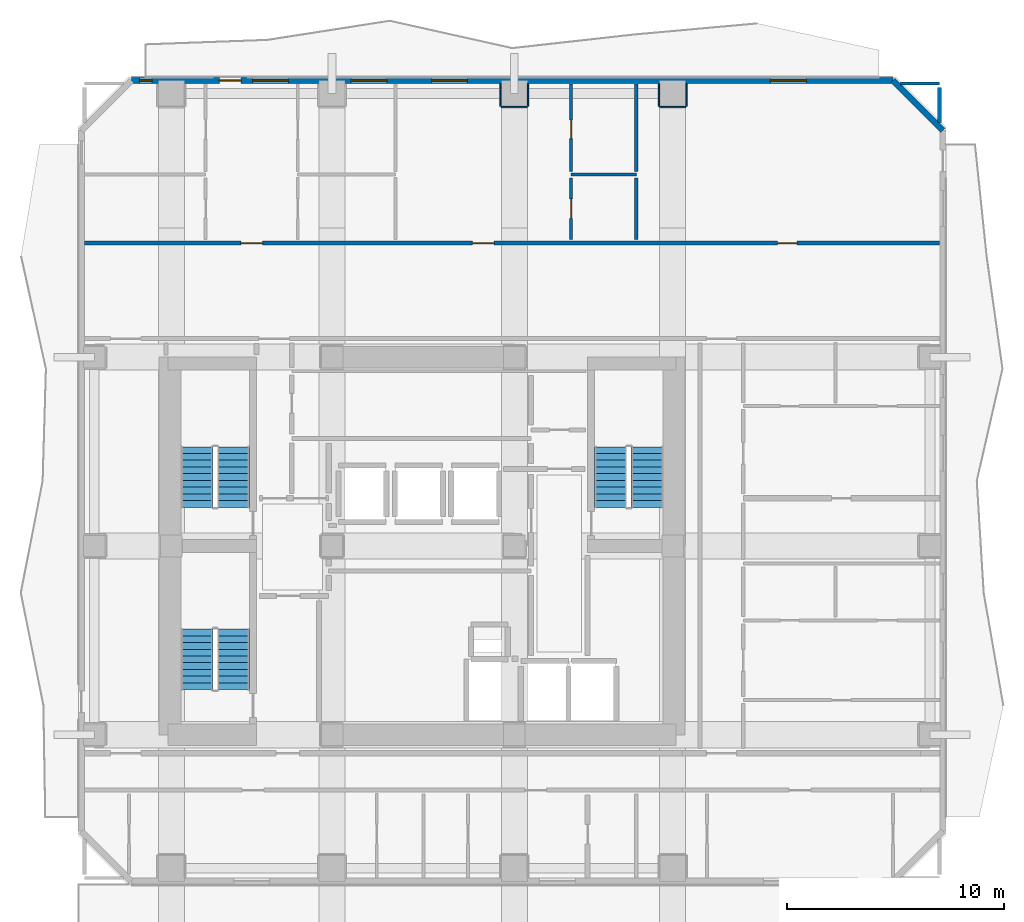
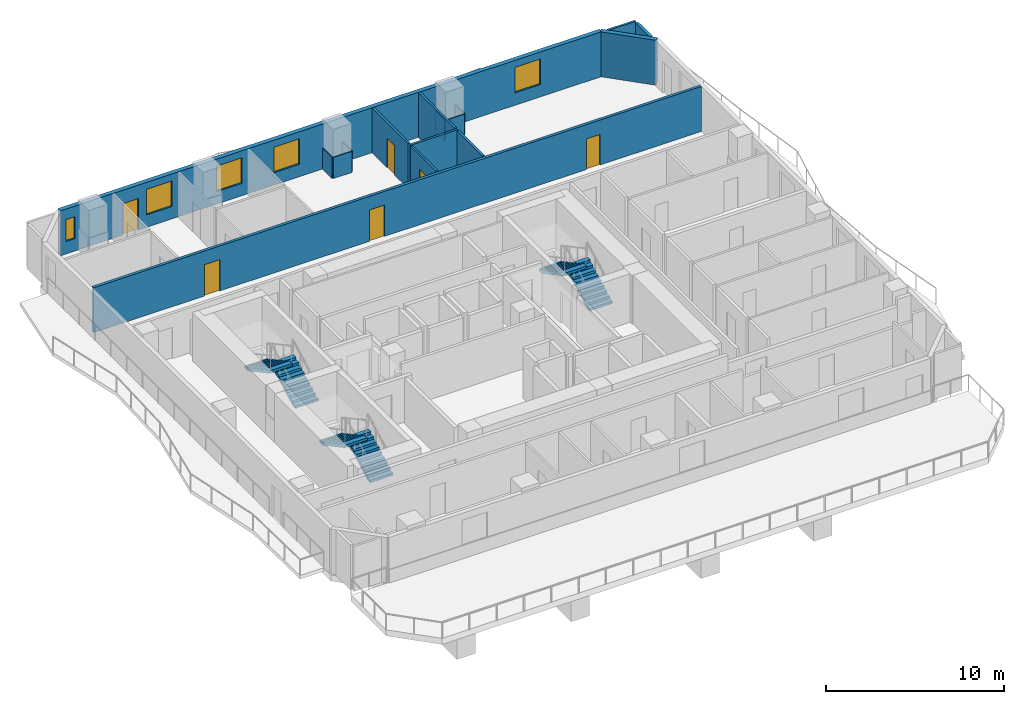
# One storey, part 6 of 9: 16 walls, 6 doors, 6 stair flights, 5 windows, 11 openings, 3 elements without a shape of their own.
"""IFC4 building model written with IfcOpenShell, lengths in metres."""

from ifc_helpers import new_model, si_unit, direction, frame, frame_2d, origin, place, context, subcontext, project, spatial, polyline, rectangle, outline, extrude, material, layer, layer_set, type_object, element, fill, aggregate, save


model = new_model("IFC4")

# Units and contexts
model_context = context("Model", 3, precision=1e-05, world=origin(), true_north=direction((0.0, 1.0)))
body_context = subcontext(model_context, "Body", "Model", "MODEL_VIEW")
ifc_project = project(units=[si_unit("LENGTHUNIT", "METRE"), si_unit("AREAUNIT", "SQUARE_METRE"), si_unit("VOLUMEUNIT", "CUBIC_METRE"), si_unit("PLANEANGLEUNIT", "RADIAN"), si_unit("MASSUNIT", "GRAM", prefix="KILO")], contexts=[model_context])

# Site, building, storey
site_placement = place(None, origin())
site = spatial("IfcSite", under=ifc_project, at=site_placement, CompositionType="ELEMENT")
building_placement = place(site_placement, origin())
building = spatial("IfcBuilding", under=site, at=building_placement, Name="Solanera Arch Residences", CompositionType="ELEMENT")
storey_placement = place(building_placement, frame((0.0, 0.0, 145.919921875)))
storey = spatial("IfcBuildingStorey", under=building, at=storey_placement, Name="L42", CompositionType="ELEMENT", Elevation=145.919921875)

# Walls
ifc_material_1 = material(Name="Fire-Rated Gypsum Stud Partition", Category="gypsum")
ifc_layer_1 = layer(ifc_material_1, 0.06005859375)
ifc_layer_set_1 = layer_set([ifc_layer_1], Name="Fire-Rated Gypsum Stud Partition")
wall_type_1 = type_object("IfcWallType", Name="Column Acoustic Furring Wall 60", PredefinedType="PARTITIONING", material=ifc_layer_set_1)
wall_1_placement = place(storey_placement, frame((28.60009765625, 50.91796875, 0.0), z_axis=(0.0, 0.0, 1.0), x_axis=(1.0, 0.0, 0.0)))
element("IfcWall", 1, at=wall_1_placement, inside=storey, type_object=wall_type_1, Name="L42 Column Furring 14S", PredefinedType="PARTITIONING", context=body_context, shape_type="SweptSolid", body=[
    extrude(rectangle(XDim=1.199951171875, YDim=0.06005859375, at=frame_2d((0.60009765625, 0.0))), origin(), (0.0, 0.0, 1.0), 1.4501953125),
])
for number, where, z_axis, x_axis, name in (
    (2, (28.568115234375, 50.949951171875, 0.0), (0.0, 0.0, 1.0), (0.0, 1.0, 0.0), "L42 Column Furring 14W"),
    (3, (29.83203125, 50.949951171875, 0.0), (0.0, 0.0, 1.0), (0.0, 1.0, 0.0), "L42 Column Furring 14E"),
):
    element("IfcWall", number, at=place(storey_placement, frame(where, z_axis=z_axis, x_axis=x_axis)), inside=storey, type_object=wall_type_1, Name=name, PredefinedType="PARTITIONING", context=body_context, shape_type="SweptSolid", body=[
        extrude(rectangle(XDim=1.0400390625, YDim=0.06005859375, at=frame_2d((0.52001953125, 0.0))), origin(), (0.0, 0.0, 1.0), 1.4501953125),
    ])
wall_2_placement = place(storey_placement, frame((35.89990234375, 50.91796875, 0.0), z_axis=(0.0, 0.0, 1.0), x_axis=(1.0, 0.0, 0.0)))
element("IfcWall", 4, at=wall_2_placement, inside=storey, type_object=wall_type_1, Name="L42 Column Furring 16S", PredefinedType="PARTITIONING", context=body_context, shape_type="SweptSolid", body=[
    extrude(rectangle(XDim=1.2001953125, YDim=0.06005859375, at=frame_2d((0.60009765625, 0.0))), origin(), (0.0, 0.0, 1.0), 1.4501953125),
])
for number, where, z_axis, x_axis, name in (
    (5, (35.867919921875, 50.949951171875, 0.0), (0.0, 0.0, 1.0), (0.0, 1.0, 0.0), "L42 Column Furring 16W"),
    (6, (37.132080078125, 50.949951171875, 0.0), (0.0, 0.0, 1.0), (0.0, 1.0, 0.0), "L42 Column Furring 16E"),
):
    element("IfcWall", number, at=place(storey_placement, frame(where, z_axis=z_axis, x_axis=x_axis)), inside=storey, type_object=wall_type_1, Name=name, PredefinedType="PARTITIONING", context=body_context, shape_type="SweptSolid", body=[
        extrude(rectangle(XDim=1.0400390625, YDim=0.06005859375, at=frame_2d((0.52001953125, 0.0))), origin(), (0.0, 0.0, 1.0), 1.4501953125),
    ])

# Wall, openings, doors
ifc_material_2 = material(Name="Autoclaved Aerated Concrete Blockwork", Category="masonry")
ifc_layer_2 = layer(ifc_material_2, 0.179931640625)
ifc_layer_set_2 = layer_set([ifc_layer_2], Name="Autoclaved Aerated Concrete Blockwork")
wall_type_2 = type_object("IfcWallType", Name="Corridor Fire Partition 180", PredefinedType="PARTITIONING", material=ifc_layer_set_2)
wall_3_placement = place(storey_placement, frame((9.406982421875, 44.64990234375, 0.0), z_axis=(0.0, 0.0, 1.0), x_axis=(1.0, 0.0, 0.0)))
wall_3 = element("IfcWall", 7, at=wall_3_placement, inside=storey, type_object=wall_type_2, Name="L42 Interior Partition H13", PredefinedType="PARTITIONING", context=body_context, shape_type="SweptSolid", body=[
    extrude(rectangle(XDim=39.385986328125, YDim=0.179931640625, at=frame_2d((19.69287109375, 0.0))), origin(), (0.0, 0.0, 1.0), 3.080078125),
])
opening_1_placement = place(wall_3_placement, frame((7.193115234375, 0.0, 0.0)))
opening_1 = element("IfcOpeningElement", 8, at=opening_1_placement, cuts=wall_3, Name="Opening DI-01", PredefinedType="OPENING", context=body_context, shape_type="SweptSolid", body=[
    extrude(rectangle(XDim=1.0, YDim=2.14990234375, at=frame_2d((0.5, 1.074951171875))), frame((0.0, 0.10009765625, 0.0), z_axis=(0.0, -1.0, 0.0), x_axis=(1.0, 0.0, 0.0)), (0.0, 0.0, 1.0), 0.1999),
])
opening_2_placement = place(wall_3_placement, frame((17.865966796875, 0.0, 0.0)))
opening_2 = element("IfcOpeningElement", 9, at=opening_2_placement, cuts=wall_3, Name="Opening DI-01", PredefinedType="OPENING", context=body_context, shape_type="SweptSolid", body=[
    extrude(rectangle(XDim=1.0, YDim=2.14990234375, at=frame_2d((0.5, 1.074951171875))), frame((0.0, 0.10009765625, 0.0), z_axis=(0.0, -1.0, 0.0), x_axis=(1.0, 0.0, 0.0)), (0.0, 0.0, 1.0), 0.1999),
])
opening_3_placement = place(wall_3_placement, frame((31.928955078125, 0.0, 0.0)))
opening_3 = element("IfcOpeningElement", 10, at=opening_3_placement, cuts=wall_3, Name="Opening DI-02", PredefinedType="OPENING", context=body_context, shape_type="SweptSolid", body=[
    extrude(rectangle(XDim=0.89990234375, YDim=2.10009765625, at=frame_2d((0.449951171875, 1.050048828125))), frame((0.0, 0.10009765625, 0.0), z_axis=(0.0, -1.0, 0.0), x_axis=(1.0, 0.0, 0.0)), (0.0, 0.0, 1.0), 0.1999),
])
ifc_material_3 = material(Name="Fire-Rated Architectural Hardwood", Category="wood")
door_type_1 = type_object("IfcDoorType", Name="Suite Room Swing Door DI-02", OperationType="NOTDEFINED", PredefinedType="DOOR", material=ifc_material_3)
door_1_placement = place(opening_3_placement, origin())
door_1 = element("IfcDoor", 11, at=door_1_placement, inside=storey, type_object=door_type_1, Name="DR-L42-IN-034", OperationType="SINGLE_SWING_LEFT", OverallHeight=2.10009765625, OverallWidth=0.89990234375, PredefinedType="DOOR", context=body_context, shape_type="SweptSolid", body=[
    extrude(rectangle(XDim=0.89990234375, YDim=2.10009765625, at=frame_2d((0.449951171875, 1.050048828125))), frame((0.0, 0.02490234375, 0.0), z_axis=(0.0, -1.0, 0.0), x_axis=(1.0, 0.0, 0.0)), (0.0, 0.0, 1.0), 0.050048828125),
])
fill(opening_3, door_1)
ifc_material_4 = material(Name="Fire-Rated Architectural Hardwood", Category="wood")
door_type_2 = type_object("IfcDoorType", Name="Unit Entrance Fire Door DI-01", OperationType="NOTDEFINED", PredefinedType="DOOR", material=ifc_material_4)
door_2_placement = place(opening_1_placement, origin())
door_2 = element("IfcDoor", 12, at=door_2_placement, inside=storey, type_object=door_type_2, Name="DR-L42-IN-026", OperationType="SINGLE_SWING_LEFT", OverallHeight=2.14990234375, OverallWidth=1.0, PredefinedType="DOOR", context=body_context, shape_type="SweptSolid", body=[
    extrude(rectangle(XDim=1.0, YDim=2.14990234375, at=frame_2d((0.5, 1.074951171875))), frame((0.0, 0.02490234375, 0.0), z_axis=(0.0, -1.0, 0.0), x_axis=(1.0, 0.0, 0.0)), (0.0, 0.0, 1.0), 0.050048828125),
])
fill(opening_1, door_2)
door_3_placement = place(opening_2_placement, origin())
door_3 = element("IfcDoor", 13, at=door_3_placement, inside=storey, type_object=door_type_2, Name="DR-L42-IN-031", OperationType="SINGLE_SWING_RIGHT", OverallHeight=2.14990234375, OverallWidth=1.0, PredefinedType="DOOR", context=body_context, shape_type="SweptSolid", body=[
    extrude(rectangle(XDim=1.0, YDim=2.14990234375, at=frame_2d((0.5, 1.074951171875))), frame((0.0, 0.02490234375, 0.0), z_axis=(0.0, -1.0, 0.0), x_axis=(1.0, 0.0, 0.0)), (0.0, 0.0, 1.0), 0.050048828125),
])
fill(opening_2, door_3)

# Wall
wall_4_placement = place(storey_placement, frame((48.800048828125, 50.205078125, 0.0), z_axis=(0.0, 0.0, 1.0), x_axis=(0.0, 1.0, 0.0)))
element("IfcWall", 14, at=wall_4_placement, inside=storey, type_object=wall_type_2, Name="L42 Interior Partition V13 2", PredefinedType="PARTITIONING", context=body_context, shape_type="SweptSolid", body=[
    extrude(rectangle(XDim=1.626953125, YDim=0.179931640625, at=frame_2d((0.8134765625, 0.0))), origin(), (0.0, 0.0, 1.0), 3.080078125),
])

# Wall, openings, door, windows
ifc_material_5 = material(Name="Precast Concrete C35/45", Category="concrete")
ifc_layer_3 = layer(ifc_material_5, 0.280029296875)
ifc_layer_set_3 = layer_set([ifc_layer_3], Name="Precast Concrete C35/45")
wall_type_3 = type_object("IfcWallType", Name="Exterior Wall Precast Masonry-Frame 280", PredefinedType="STANDARD", material=ifc_layer_set_3)
wall_5_placement = place(storey_placement, frame((11.554931640625, 52.14501953125, 0.0), z_axis=(0.0, 0.0, 1.0), x_axis=(1.0, 0.0, 0.0)))
wall_5 = element("IfcWall", 15, at=wall_5_placement, inside=storey, type_object=wall_type_3, Name="L42 Tower Exterior Precast Masonry-Frame Wall N", PredefinedType="STANDARD", context=body_context, shape_type="SweptSolid", body=[
    extrude(rectangle(XDim=35.090087890625, YDim=0.280029296875, at=frame_2d((17.544921875, 0.0))), origin(), (0.0, 0.0, 1.0), 3.080078125),
])
opening_4_placement = place(wall_5_placement, frame((4.06201171875, 0.0, 0.0)))
opening_4 = element("IfcOpeningElement", 16, at=opening_4_placement, cuts=wall_5, Name="Opening DB-01", PredefinedType="OPENING", context=body_context, shape_type="SweptSolid", body=[
    extrude(rectangle(XDim=1.0, YDim=2.14990234375, at=frame_2d((0.5, 1.074951171875))), frame((0.0, 0.14990234375, 0.0), z_axis=(0.0, -1.0, 0.0), x_axis=(1.0, 0.0, 0.0)), (0.0, 0.0, 1.0), 0.3),
])
opening_5_placement = place(wall_5_placement, frame((5.587890625, 0.0, 0.85009765625)))
opening_5 = element("IfcOpeningElement", 17, at=opening_5_placement, cuts=wall_5, Name="Opening W-08", PredefinedType="OPENING", context=body_context, shape_type="SweptSolid", body=[
    extrude(rectangle(XDim=1.64990234375, YDim=1.75, at=frame_2d((0.824951171875, 0.875))), frame((0.0, 0.14990234375, 0.0), z_axis=(0.0, -1.0, 0.0), x_axis=(1.0, 0.0, 0.0)), (0.0, 0.0, 1.0), 0.3),
])
opening_6_placement = place(wall_5_placement, frame((0.3779296875, 0.0, 0.85009765625)))
opening_6 = element("IfcOpeningElement", 18, at=opening_6_placement, cuts=wall_5, Name="Opening W-14", PredefinedType="OPENING", context=body_context, shape_type="SweptSolid", body=[
    extrude(rectangle(XDim=0.580078125, YDim=1.5, at=frame_2d((0.2900390625, 0.75))), frame((0.0, 0.14990234375, 0.0), z_axis=(0.0, -1.0, 0.0), x_axis=(1.0, 0.0, 0.0)), (0.0, 0.0, 1.0), 0.3),
])
opening_7_placement = place(wall_5_placement, frame((10.133056640625, 0.0, 0.85009765625)))
opening_7 = element("IfcOpeningElement", 19, at=opening_7_placement, cuts=wall_5, Name="Opening W-08", PredefinedType="OPENING", context=body_context, shape_type="SweptSolid", body=[
    extrude(rectangle(XDim=1.64990234375, YDim=1.75, at=frame_2d((0.824951171875, 0.875))), frame((0.0, 0.14990234375, 0.0), z_axis=(0.0, -1.0, 0.0), x_axis=(1.0, 0.0, 0.0)), (0.0, 0.0, 1.0), 0.3),
])
opening_8_placement = place(wall_5_placement, frame((13.8330078125, 0.0, 0.85009765625)))
opening_8 = element("IfcOpeningElement", 20, at=opening_8_placement, cuts=wall_5, Name="Opening W-08", PredefinedType="OPENING", context=body_context, shape_type="SweptSolid", body=[
    extrude(rectangle(XDim=1.64990234375, YDim=1.75, at=frame_2d((0.824951171875, 0.875))), frame((0.0, 0.14990234375, 0.0), z_axis=(0.0, -1.0, 0.0), x_axis=(1.0, 0.0, 0.0)), (0.0, 0.0, 1.0), 0.3),
])
opening_9_placement = place(wall_5_placement, frame((29.447998046875, 0.0, 0.85009765625)))
opening_9 = element("IfcOpeningElement", 21, at=opening_9_placement, cuts=wall_5, Name="Opening W-08", PredefinedType="OPENING", context=body_context, shape_type="SweptSolid", body=[
    extrude(rectangle(XDim=1.64990234375, YDim=1.75, at=frame_2d((0.824951171875, 0.875))), frame((0.0, 0.14990234375, 0.0), z_axis=(0.0, -1.0, 0.0), x_axis=(1.0, 0.0, 0.0)), (0.0, 0.0, 1.0), 0.3),
])
ifc_material_6 = material(Name="Anodised Aluminium Alloy 6063-T6", Category="aluminium")
door_type_3 = type_object("IfcDoorType", Name="Glazed Balcony Swing Door DB-01", OperationType="NOTDEFINED", PredefinedType="DOOR", material=ifc_material_6)
door_4_placement = place(opening_4_placement, origin())
door_4 = element("IfcDoor", 22, at=door_4_placement, inside=storey, type_object=door_type_3, Name="DR-L42-OUT-02", OperationType="SINGLE_SWING_LEFT", OverallHeight=2.14990234375, OverallWidth=1.0, PredefinedType="DOOR", context=body_context, shape_type="SweptSolid", body=[
    extrude(rectangle(XDim=1.0, YDim=2.14990234375, at=frame_2d((0.5, 1.074951171875))), frame((0.0, 0.02490234375, 0.0), z_axis=(0.0, -1.0, 0.0), x_axis=(1.0, 0.0, 0.0)), (0.0, 0.0, 1.0), 0.050048828125),
])
fill(opening_4, door_4)
ifc_material_7 = material(Name="Double Glazed Low-E Laminated Glass", Category="glass")
window_type_1 = type_object("IfcWindowType", Name="Punched Window W-08", PartitioningType="DOUBLE_PANEL_HORIZONTAL", PredefinedType="WINDOW", material=ifc_material_7)
window_1_placement = place(opening_5_placement, origin())
window_1 = element("IfcWindow", 23, at=window_1_placement, inside=storey, type_object=window_type_1, Name="L42 4204-LIV Punched Window", OverallHeight=1.75, OverallWidth=1.64990234375, PartitioningType="SINGLE_PANEL", PredefinedType="WINDOW", context=body_context, shape_type="SweptSolid", body=[
    extrude(rectangle(XDim=1.64990234375, YDim=1.75, at=frame_2d((0.824951171875, 0.875))), frame((0.0, 0.030029296875, 0.0), z_axis=(0.0, -1.0, 0.0), x_axis=(1.0, 0.0, 0.0)), (0.0, 0.0, 1.0), 0.06005859375),
])
fill(opening_5, window_1)
window_2_placement = place(opening_7_placement, origin())
window_2 = element("IfcWindow", 24, at=window_2_placement, inside=storey, type_object=window_type_1, Name="L42 4204-BR2 Punched Window", OverallHeight=1.75, OverallWidth=1.64990234375, PartitioningType="SINGLE_PANEL", PredefinedType="WINDOW", context=body_context, shape_type="SweptSolid", body=[
    extrude(rectangle(XDim=1.64990234375, YDim=1.75, at=frame_2d((0.824951171875, 0.875))), frame((0.0, 0.030029296875, 0.0), z_axis=(0.0, -1.0, 0.0), x_axis=(1.0, 0.0, 0.0)), (0.0, 0.0, 1.0), 0.06005859375),
])
fill(opening_7, window_2)
window_3_placement = place(opening_8_placement, origin())
window_3 = element("IfcWindow", 25, at=window_3_placement, inside=storey, type_object=window_type_1, Name="L42 4205-LIV Punched Window", OverallHeight=1.75, OverallWidth=1.64990234375, PartitioningType="SINGLE_PANEL", PredefinedType="WINDOW", context=body_context, shape_type="SweptSolid", body=[
    extrude(rectangle(XDim=1.64990234375, YDim=1.75, at=frame_2d((0.824951171875, 0.875))), frame((0.0, 0.030029296875, 0.0), z_axis=(0.0, -1.0, 0.0), x_axis=(1.0, 0.0, 0.0)), (0.0, 0.0, 1.0), 0.06005859375),
])
fill(opening_8, window_3)
window_4_placement = place(opening_9_placement, origin())
window_4 = element("IfcWindow", 26, at=window_4_placement, inside=storey, type_object=window_type_1, Name="L42 AMN-OFF Punched Window", OverallHeight=1.75, OverallWidth=1.64990234375, PartitioningType="SINGLE_PANEL", PredefinedType="WINDOW", context=body_context, shape_type="SweptSolid", body=[
    extrude(rectangle(XDim=1.64990234375, YDim=1.75, at=frame_2d((0.824951171875, 0.875))), frame((0.0, 0.030029296875, 0.0), z_axis=(0.0, -1.0, 0.0), x_axis=(1.0, 0.0, 0.0)), (0.0, 0.0, 1.0), 0.06005859375),
])
fill(opening_9, window_4)
ifc_material_8 = material(Name="Double Glazed Low-E Laminated Glass", Category="glass")
window_type_2 = type_object("IfcWindowType", Name="Punched Window W-14", PartitioningType="SINGLE_PANEL", PredefinedType="WINDOW", material=ifc_material_8)
window_5_placement = place(opening_6_placement, origin())
window_5 = element("IfcWindow", 27, at=window_5_placement, inside=storey, type_object=window_type_2, Name="L42 4204-BR1 Punched Window", OverallHeight=1.5, OverallWidth=0.580078125, PartitioningType="SINGLE_PANEL", PredefinedType="WINDOW", context=body_context, shape_type="SweptSolid", body=[
    extrude(rectangle(XDim=0.580078125, YDim=1.5, at=frame_2d((0.2900390625, 0.75))), frame((0.0, 0.030029296875, 0.0), z_axis=(0.0, -1.0, 0.0), x_axis=(1.0, 0.0, 0.0)), (0.0, 0.0, 1.0), 0.06005859375),
])
fill(opening_6, window_5)

# Walls
wall_6_placement = place(storey_placement, frame((46.64501953125, 52.14501953125, 0.0), z_axis=(0.0, 0.0, 1.0), x_axis=(0.707106781187, -0.707106781187, 0.0)))
element("IfcWall", 28, at=wall_6_placement, inside=storey, type_object=wall_type_3, Name="L42 Tower Exterior Precast Masonry-Frame Wall CH3", PredefinedType="STANDARD", context=body_context, shape_type="SweptSolid", body=[
    extrude(rectangle(XDim=3.252685546875, YDim=0.280029296875, at=frame_2d((1.62646484375, 0.0))), origin(), (0.0, 0.0, 1.0), 3.080078125),
])
ifc_material_9 = material(Name="Autoclaved Aerated Concrete Blockwork", Category="masonry")
ifc_layer_4 = layer(ifc_material_9, 0.139892578125)
ifc_layer_set_4 = layer_set([ifc_layer_4], Name="Autoclaved Aerated Concrete Blockwork")
wall_type_4 = type_object("IfcWallType", Name="Wet-Room Partition 140", PredefinedType="PARTITIONING", material=ifc_layer_set_4)
wall_7_placement = place(storey_placement, frame((31.820068359375, 47.81005859375, 0.0), z_axis=(0.0, 0.0, 1.0), x_axis=(1.0, 0.0, 0.0)))
element("IfcWall", 29, at=wall_7_placement, inside=storey, type_object=wall_type_4, Name="L42 Interior Partition H20", PredefinedType="PARTITIONING", context=body_context, shape_type="SweptSolid", body=[
    extrude(rectangle(XDim=3.0, YDim=0.139892578125, at=frame_2d((1.5, 0.0))), origin(), (0.0, 0.0, 1.0), 3.080078125),
])
wall_8_placement = place(storey_placement, frame((47.0048828125, 52.0, 0.0), z_axis=(0.0, 0.0, 1.0), x_axis=(1.0, 0.0, 0.0)))
element("IfcWall", 30, at=wall_8_placement, inside=storey, type_object=wall_type_4, Name="L42 Interior Partition H21 2", PredefinedType="PARTITIONING", context=body_context, shape_type="SweptSolid", body=[
    extrude(rectangle(XDim=1.795166015625, YDim=0.139892578125, at=frame_2d((0.8974609375, 0.0))), origin(), (0.0, 0.0, 1.0), 3.080078125),
])

# Wall, opening, door
wall_9_placement = place(storey_placement, frame((31.820068359375, 44.818115234375, 0.0), z_axis=(0.0, 0.0, 1.0), x_axis=(0.0, 1.0, 0.0)))
wall_9 = element("IfcWall", 31, at=wall_9_placement, inside=storey, type_object=wall_type_4, Name="L42 Interior Partition V18 1", PredefinedType="PARTITIONING", context=body_context, shape_type="SweptSolid", body=[
    extrude(rectangle(XDim=2.843994140625, YDim=0.139892578125, at=frame_2d((1.421875, 0.0))), origin(), (0.0, 0.0, 1.0), 3.080078125),
])
opening_10_placement = place(wall_9_placement, frame((0.97509765625, 0.0, 0.0)))
opening_10 = element("IfcOpeningElement", 32, at=opening_10_placement, cuts=wall_9, Name="Opening DI-02", PredefinedType="OPENING", context=body_context, shape_type="SweptSolid", body=[
    extrude(rectangle(XDim=0.89990234375, YDim=2.10009765625, at=frame_2d((0.449951171875, 1.050048828125))), frame((0.0, 0.079833984375, 0.0), z_axis=(0.0, -1.0, 0.0), x_axis=(1.0, 0.0, 0.0)), (0.0, 0.0, 1.0), 0.1599),
])
door_5_placement = place(opening_10_placement, origin())
door_5 = element("IfcDoor", 33, at=door_5_placement, inside=storey, type_object=door_type_1, Name="DR-L42-IN-032", OperationType="SINGLE_SWING_LEFT", OverallHeight=2.10009765625, OverallWidth=0.89990234375, PredefinedType="DOOR", context=body_context, shape_type="SweptSolid", body=[
    extrude(rectangle(XDim=0.89990234375, YDim=2.10009765625, at=frame_2d((0.449951171875, 1.050048828125))), frame((0.0, 0.02490234375, 0.0), z_axis=(0.0, -1.0, 0.0), x_axis=(1.0, 0.0, 0.0)), (0.0, 0.0, 1.0), 0.050048828125),
])
fill(opening_10, door_5)

wall_10_placement = place(storey_placement, frame((31.820068359375, 47.9580078125, 0.0), z_axis=(0.0, 0.0, 1.0), x_axis=(0.0, 1.0, 0.0)))
wall_10 = element("IfcWall", 34, at=wall_10_placement, inside=storey, type_object=wall_type_4, Name="L42 Interior Partition V18 2", PredefinedType="PARTITIONING", context=body_context, shape_type="SweptSolid", body=[
    extrude(rectangle(XDim=4.034912109375, YDim=0.139892578125, at=frame_2d((2.017578125, 0.0))), origin(), (0.0, 0.0, 1.0), 3.080078125),
])
opening_11_placement = place(wall_10_placement, frame((1.50390625, 0.0, 0.0)))
opening_11 = element("IfcOpeningElement", 35, at=opening_11_placement, cuts=wall_10, Name="Opening DI-05", PredefinedType="OPENING", context=body_context, shape_type="SweptSolid", body=[
    extrude(rectangle(XDim=0.860107421875, YDim=2.02001953125, at=frame_2d((0.43017578125, 1.010009765625))), frame((0.0, 0.079833984375, 0.0), z_axis=(0.0, -1.0, 0.0), x_axis=(1.0, 0.0, 0.0)), (0.0, 0.0, 1.0), 0.1599),
])
ifc_material_10 = material(Name="Fire-Rated Architectural Hardwood", Category="wood")
door_type_4 = type_object("IfcDoorType", Name="Bathroom Swing Door DI-05", OperationType="NOTDEFINED", PredefinedType="DOOR", material=ifc_material_10)
door_6_placement = place(opening_11_placement, origin())
door_6 = element("IfcDoor", 36, at=door_6_placement, inside=storey, type_object=door_type_4, Name="DR-L42-IN-033", OperationType="SINGLE_SWING_RIGHT", OverallHeight=2.02001953125, OverallWidth=0.860107421875, PredefinedType="DOOR", context=body_context, shape_type="SweptSolid", body=[
    extrude(rectangle(XDim=0.860107421875, YDim=2.02001953125, at=frame_2d((0.43017578125, 1.010009765625))), frame((0.0, 0.02490234375, 0.0), z_axis=(0.0, -1.0, 0.0), x_axis=(1.0, 0.0, 0.0)), (0.0, 0.0, 1.0), 0.050048828125),
])
fill(opening_11, door_6)

# Walls
wall_11_placement = place(storey_placement, frame((34.820068359375, 44.818115234375, 0.0), z_axis=(0.0, 0.0, 1.0), x_axis=(0.0, 1.0, 0.0)))
element("IfcWall", 37, at=wall_11_placement, inside=storey, type_object=wall_type_4, Name="L42 Interior Partition V20 1", PredefinedType="PARTITIONING", context=body_context, shape_type="SweptSolid", body=[
    extrude(rectangle(XDim=2.843994140625, YDim=0.139892578125, at=frame_2d((1.421875, 0.0))), origin(), (0.0, 0.0, 1.0), 3.080078125),
])
wall_12_placement = place(storey_placement, frame((34.820068359375, 47.9580078125, 0.0), z_axis=(0.0, 0.0, 1.0), x_axis=(0.0, 1.0, 0.0)))
element("IfcWall", 38, at=wall_12_placement, inside=storey, type_object=wall_type_4, Name="L42 Interior Partition V20 2", PredefinedType="PARTITIONING", context=body_context, shape_type="SweptSolid", body=[
    extrude(rectangle(XDim=4.034912109375, YDim=0.139892578125, at=frame_2d((2.017578125, 0.0))), origin(), (0.0, 0.0, 1.0), 3.080078125),
])

# Stair, stair flights
ifc_material_11 = material(Name="Concrete C40/50 (f'c = 45 MPa)", Category="concrete")
stair_type = type_object("IfcStairType", Name="Tower Dogleg Exit Stair 1480", PredefinedType="HALF_TURN_STAIR", material=ifc_material_11)
stair_1_placement = place(storey_placement, origin())
stair_1 = element("IfcStair", 39, at=stair_1_placement, inside=storey, type_object=stair_type, Name="L42 Tower Core Exit Stair 1", PredefinedType="HALF_TURN_STAIR")
ifc_material_12 = material(Name="Concrete C40/50 (f'c = 45 MPa)", Category="concrete")
stair_flight_type = type_object("IfcStairFlightType", Name="Tower Precast Stair Flight 1480", PredefinedType="STRAIGHT", material=ifc_material_12)
stair_flight_1_placement = place(storey_placement, frame((16.260009765625, 32.47998046875, 0.0), z_axis=(0.0, 0.0, 1.0), x_axis=(0.0, 1.0, 0.0)))
stair_flight_1 = element("IfcStairFlight", 40, at=stair_flight_1_placement, type_object=stair_flight_type, Name="ST-T1 flight 1", NumberOfRisers=10, NumberOfTreads=9, PredefinedType="STRAIGHT", RiserHeight=0.166, TreadLength=0.31, context=body_context, shape_type="SweptSolid", body=[
    extrude(outline(polyline([(0.0, 0.0), (0.0, 0.166015625), (0.31005859375, 0.166015625), (0.31005859375, 0.33203125), (0.6201171875, 0.33203125), (0.6201171875, 0.498046875), (0.929931640625, 0.498046875), (0.929931640625, 0.6640625), (1.239990234375, 0.6640625), (1.239990234375, 0.830078125), (1.550048828125, 0.830078125), (1.550048828125, 0.99609375), (1.860107421875, 0.99609375), (1.860107421875, 1.162109375), (2.169921875, 1.162109375), (2.169921875, 1.327880859375), (2.47998046875, 1.327880859375), (2.47998046875, 1.493896484375), (2.7900390625, 1.493896484375), (2.7900390625, 1.659912109375), (2.7900390625, 1.323974609375), (0.317626953125, 0.0), (0.0, 0.0)])), frame((0.0, 0.739990234375, 0.0), z_axis=(0.0, -1.0, 0.0), x_axis=(1.0, 0.0, 0.0)), (0.0, 0.0, 1.0), 1.47998046875),
])
stair_flight_2_placement = place(storey_placement, frame((14.580078125, 35.27001953125, 1.66015625), z_axis=(0.0, 0.0, 1.0), x_axis=(0.0, -1.0, 0.0)))
stair_flight_2 = element("IfcStairFlight", 41, at=stair_flight_2_placement, type_object=stair_flight_type, Name="ST-T1 flight 2", NumberOfRisers=10, NumberOfTreads=9, PredefinedType="STRAIGHT", RiserHeight=0.166, TreadLength=0.31, context=body_context, shape_type="SweptSolid", body=[
    extrude(outline(polyline([(0.0, 0.0), (0.0, 0.166015625), (0.31005859375, 0.166015625), (0.31005859375, 0.33203125), (0.6201171875, 0.33203125), (0.6201171875, 0.498046875), (0.929931640625, 0.498046875), (0.929931640625, 0.6640625), (1.239990234375, 0.6640625), (1.239990234375, 0.830078125), (1.550048828125, 0.830078125), (1.550048828125, 0.99609375), (1.860107421875, 0.99609375), (1.860107421875, 1.162109375), (2.169921875, 1.162109375), (2.169921875, 1.327880859375), (2.47998046875, 1.327880859375), (2.47998046875, 1.493896484375), (2.7900390625, 1.493896484375), (2.7900390625, 1.659912109375), (2.7900390625, 1.323974609375), (0.317626953125, 0.0), (0.0, 0.0)])), frame((0.0, 0.739990234375, 0.0), z_axis=(0.0, -1.0, 0.0), x_axis=(1.0, 0.0, 0.0)), (0.0, 0.0, 1.0), 1.47998046875),
])
aggregate(stair_1, [stair_flight_1, stair_flight_2])

stair_2_placement = place(storey_placement, origin())
stair_2 = element("IfcStair", 42, at=stair_2_placement, inside=storey, type_object=stair_type, Name="L42 Tower Core Exit Stair 2", PredefinedType="HALF_TURN_STAIR")
stair_flight_3_placement = place(storey_placement, frame((35.320068359375, 32.47998046875, 0.0), z_axis=(0.0, 0.0, 1.0), x_axis=(0.0, 1.0, 0.0)))
stair_flight_3 = element("IfcStairFlight", 43, at=stair_flight_3_placement, type_object=stair_flight_type, Name="ST-T2 flight 1", NumberOfRisers=10, NumberOfTreads=9, PredefinedType="STRAIGHT", RiserHeight=0.166, TreadLength=0.31, context=body_context, shape_type="SweptSolid", body=[
    extrude(outline(polyline([(0.0, 0.0), (0.0, 0.166015625), (0.31005859375, 0.166015625), (0.31005859375, 0.33203125), (0.6201171875, 0.33203125), (0.6201171875, 0.498046875), (0.929931640625, 0.498046875), (0.929931640625, 0.6640625), (1.239990234375, 0.6640625), (1.239990234375, 0.830078125), (1.550048828125, 0.830078125), (1.550048828125, 0.99609375), (1.860107421875, 0.99609375), (1.860107421875, 1.162109375), (2.169921875, 1.162109375), (2.169921875, 1.327880859375), (2.47998046875, 1.327880859375), (2.47998046875, 1.493896484375), (2.7900390625, 1.493896484375), (2.7900390625, 1.659912109375), (2.7900390625, 1.323974609375), (0.317626953125, 0.0), (0.0, 0.0)])), frame((0.0, 0.739990234375, 0.0), z_axis=(0.0, -1.0, 0.0), x_axis=(1.0, 0.0, 0.0)), (0.0, 0.0, 1.0), 1.47998046875),
])
stair_flight_4_placement = place(storey_placement, frame((33.639892578125, 35.27001953125, 1.66015625), z_axis=(0.0, 0.0, 1.0), x_axis=(0.0, -1.0, 0.0)))
stair_flight_4 = element("IfcStairFlight", 44, at=stair_flight_4_placement, type_object=stair_flight_type, Name="ST-T2 flight 2", NumberOfRisers=10, NumberOfTreads=9, PredefinedType="STRAIGHT", RiserHeight=0.166, TreadLength=0.31, context=body_context, shape_type="SweptSolid", body=[
    extrude(outline(polyline([(0.0, 0.0), (0.0, 0.166015625), (0.31005859375, 0.166015625), (0.31005859375, 0.33203125), (0.6201171875, 0.33203125), (0.6201171875, 0.498046875), (0.929931640625, 0.498046875), (0.929931640625, 0.6640625), (1.239990234375, 0.6640625), (1.239990234375, 0.830078125), (1.550048828125, 0.830078125), (1.550048828125, 0.99609375), (1.860107421875, 0.99609375), (1.860107421875, 1.162109375), (2.169921875, 1.162109375), (2.169921875, 1.327880859375), (2.47998046875, 1.327880859375), (2.47998046875, 1.493896484375), (2.7900390625, 1.493896484375), (2.7900390625, 1.659912109375), (2.7900390625, 1.323974609375), (0.317626953125, 0.0), (0.0, 0.0)])), frame((0.0, 0.739990234375, 0.0), z_axis=(0.0, -1.0, 0.0), x_axis=(1.0, 0.0, 0.0)), (0.0, 0.0, 1.0), 1.47998046875),
])
aggregate(stair_2, [stair_flight_3, stair_flight_4])

stair_3_placement = place(storey_placement, origin())
stair_3 = element("IfcStair", 45, at=stair_3_placement, inside=storey, type_object=stair_type, Name="L42 Tower Core Exit Stair 3", PredefinedType="HALF_TURN_STAIR")
stair_flight_5_placement = place(storey_placement, frame((16.260009765625, 24.080078125, 0.0), z_axis=(0.0, 0.0, 1.0), x_axis=(0.0, 1.0, 0.0)))
stair_flight_5 = element("IfcStairFlight", 46, at=stair_flight_5_placement, type_object=stair_flight_type, Name="ST-T3 flight 1", NumberOfRisers=10, NumberOfTreads=9, PredefinedType="STRAIGHT", RiserHeight=0.166, TreadLength=0.31, context=body_context, shape_type="SweptSolid", body=[
    extrude(outline(polyline([(0.0, 0.0), (0.0, 0.166015625), (0.31005859375, 0.166015625), (0.31005859375, 0.33203125), (0.6201171875, 0.33203125), (0.6201171875, 0.498046875), (0.929931640625, 0.498046875), (0.929931640625, 0.6640625), (1.239990234375, 0.6640625), (1.239990234375, 0.830078125), (1.550048828125, 0.830078125), (1.550048828125, 0.99609375), (1.860107421875, 0.99609375), (1.860107421875, 1.162109375), (2.169921875, 1.162109375), (2.169921875, 1.327880859375), (2.47998046875, 1.327880859375), (2.47998046875, 1.493896484375), (2.7900390625, 1.493896484375), (2.7900390625, 1.659912109375), (2.7900390625, 1.323974609375), (0.317626953125, 0.0), (0.0, 0.0)])), frame((0.0, 0.739990234375, 0.0), z_axis=(0.0, -1.0, 0.0), x_axis=(1.0, 0.0, 0.0)), (0.0, 0.0, 1.0), 1.47998046875),
])
stair_flight_6_placement = place(storey_placement, frame((14.580078125, 26.8701171875, 1.66015625), z_axis=(0.0, 0.0, 1.0), x_axis=(0.0, -1.0, 0.0)))
stair_flight_6 = element("IfcStairFlight", 47, at=stair_flight_6_placement, type_object=stair_flight_type, Name="ST-T3 flight 2", NumberOfRisers=10, NumberOfTreads=9, PredefinedType="STRAIGHT", RiserHeight=0.166, TreadLength=0.31, context=body_context, shape_type="SweptSolid", body=[
    extrude(outline(polyline([(0.0, 0.0), (0.0, 0.166015625), (0.31005859375, 0.166015625), (0.31005859375, 0.33203125), (0.6201171875, 0.33203125), (0.6201171875, 0.498046875), (0.929931640625, 0.498046875), (0.929931640625, 0.6640625), (1.239990234375, 0.6640625), (1.239990234375, 0.830078125), (1.550048828125, 0.830078125), (1.550048828125, 0.99609375), (1.860107421875, 0.99609375), (1.860107421875, 1.162109375), (2.169921875, 1.162109375), (2.169921875, 1.327880859375), (2.47998046875, 1.327880859375), (2.47998046875, 1.493896484375), (2.7900390625, 1.493896484375), (2.7900390625, 1.659912109375), (2.7900390625, 1.323974609375), (0.317626953125, 0.0), (0.0, 0.0)])), frame((0.0, 0.739990234375, 0.0), z_axis=(0.0, -1.0, 0.0), x_axis=(1.0, 0.0, 0.0)), (0.0, 0.0, 1.0), 1.47998046875),
])
aggregate(stair_3, [stair_flight_5, stair_flight_6])

save(model, "model.ifc")
